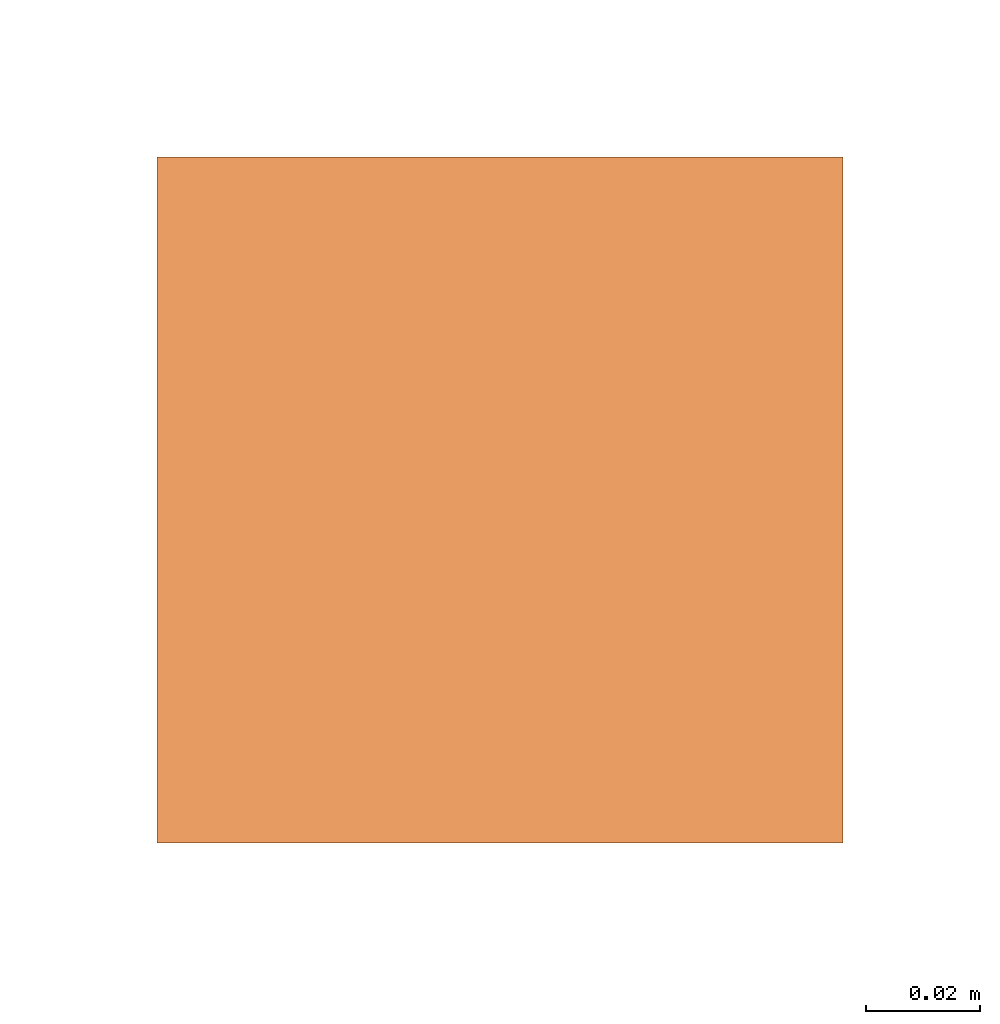
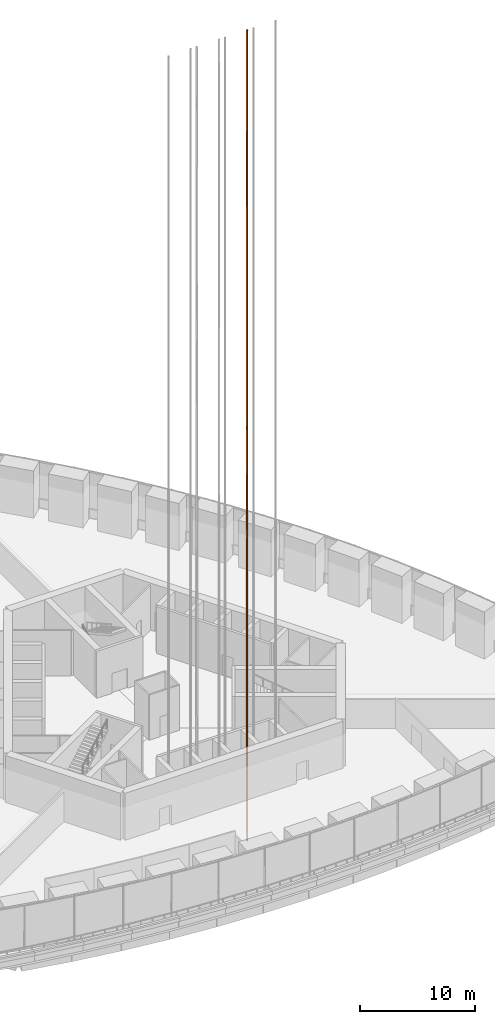
# One storey, part 31 of 33: 1 proxy.
"""IFC4 building model written with IfcOpenShell, lengths in metres."""

from ifc_helpers import new_model, si_unit, direction, frame, origin, origin_2d, place, context, subcontext, project, spatial, rectangle, extrude, element, save


model = new_model("IFC4")

# Units and contexts
model_context = context("Model", 3, precision=1e-05, world=origin(), true_north=direction((0.0, 1.0)))
body_context = subcontext(model_context, "Body", "Model", "MODEL_VIEW")
ifc_project = project(units=[si_unit("LENGTHUNIT", "METRE"), si_unit("AREAUNIT", "SQUARE_METRE"), si_unit("VOLUMEUNIT", "CUBIC_METRE"), si_unit("PLANEANGLEUNIT", "RADIAN"), si_unit("MASSUNIT", "GRAM", prefix="KILO")], contexts=[model_context])

# Site, building, storey
site_placement = place(None, origin())
site = spatial("IfcSite", under=ifc_project, at=site_placement, CompositionType="ELEMENT")
building_placement = place(site_placement, origin())
building = spatial("IfcBuilding", under=site, at=building_placement, Name="Trefoil Bronze Tower", CompositionType="ELEMENT")
storey_placement = place(building_placement, frame((0.0, 0.0, 98.10009765625)))
storey = spatial("IfcBuildingStorey", under=building, at=storey_placement, Name="L22", CompositionType="ELEMENT", Elevation=98.10009765625)

# Proxy
proxy_placement = place(storey_placement, frame((2.534912109375, -11.3125, -6.0), z_axis=(0.0, 0.0, 1.0), x_axis=(1.0, 0.0, 0.0)))
element("IfcBuildingElementProxy", 1, at=proxy_placement, inside=storey, Name="Lift P23 guide rail 2", ObjectType="LIFT GUIDE RAIL", PredefinedType="USERDEFINED", context=body_context, shape_type="SweptSolid", body=[
    extrude(rectangle(XDim=0.1201171875, YDim=0.1201171875, at=origin_2d()), origin(), (0.0, 0.0, 1.0), 86.25),
])

save(model, "model.ifc")
